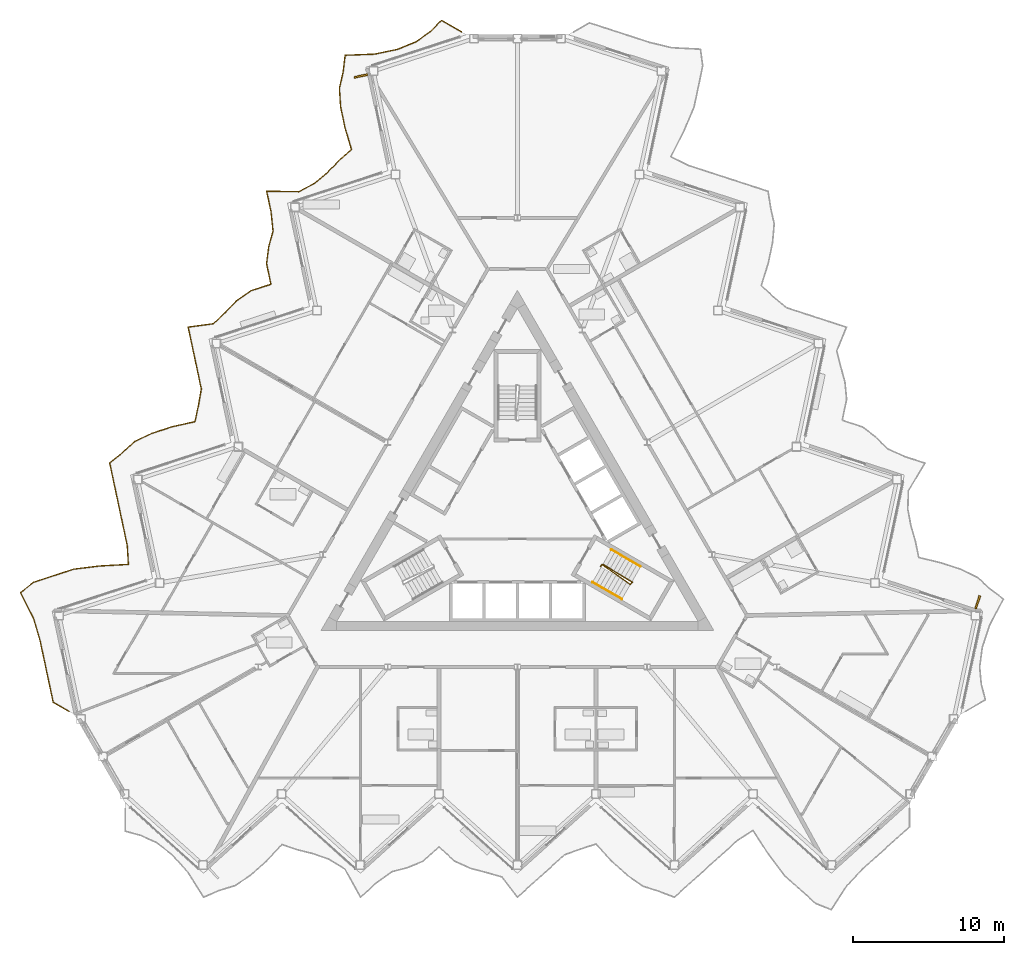
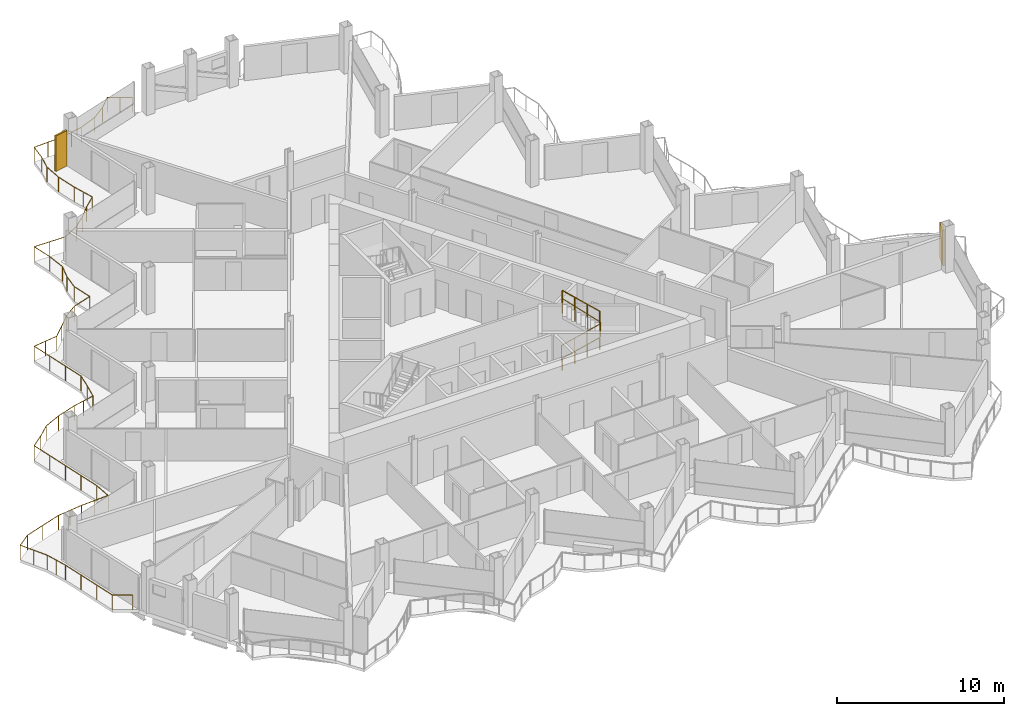
# One storey, part 24 of 27: 4 railings, 2 shading devices.
"""IFC4 building model written with IfcOpenShell, lengths in metres."""

from ifc_helpers import new_model, si_unit, direction, frame, origin, origin_2d, place, context, subcontext, project, spatial, rectangle, circle, extrude, material, layer, layer_set, type_object, element, save


model = new_model("IFC4")

# Units and contexts
model_context = context("Model", 3, precision=1e-05, world=origin(), true_north=direction((0.0, 1.0)))
body_context = subcontext(model_context, "Body", "Model", "MODEL_VIEW")
ifc_project = project(units=[si_unit("LENGTHUNIT", "METRE"), si_unit("AREAUNIT", "SQUARE_METRE"), si_unit("VOLUMEUNIT", "CUBIC_METRE"), si_unit("PLANEANGLEUNIT", "RADIAN"), si_unit("MASSUNIT", "GRAM", prefix="KILO")], contexts=[model_context])

# Site, building, storey
site_placement = place(None, origin())
site = spatial("IfcSite", under=ifc_project, at=site_placement, CompositionType="ELEMENT")
building_placement = place(site_placement, origin())
building = spatial("IfcBuilding", under=site, at=building_placement, Name="Cormorant Prow Tower", CompositionType="ELEMENT")
storey_placement = place(building_placement, frame((0.0, 0.0, 318.800048828125)))
storey = spatial("IfcBuildingStorey", under=building, at=storey_placement, Name="L70", CompositionType="ELEMENT", Elevation=318.800048828125)

# Railings
ifc_material_1 = material(Name="Aluminium 6063-T6", Category="aluminium")
railing_type_1 = type_object("IfcRailingType", Name="Balcony guard 1100", PredefinedType="GUARDRAIL", material=ifc_material_1)
railing_1_placement = place(storey_placement, frame((-3.703369140625, 32.118896484375, 0.0)))
element("IfcRailing", 1, at=railing_1_placement, inside=storey, type_object=railing_type_1, Name="Balcony guard WNW", PredefinedType="GUARDRAIL", context=body_context, shape_type="SweptSolid", body=[
    extrude(circle(Radius=0.02392578125, at=origin_2d()), frame((0.0, 0.0, 1.076171875), z_axis=(-0.865990296034, 0.500060803479, 0.0), x_axis=(-0.500060803479, -0.865990296034, 0.0)), (0.0, 0.0, 1.0), 1.519775390625),
    extrude(circle(Radius=0.02392578125, at=origin_2d()), frame((-1.316162109375, 0.760009765625, 1.076171875), z_axis=(-0.710162172845, -0.704038129834, 0.0), x_axis=(0.704038129834, -0.710162172845, 0.0)), (0.0, 0.0, 1.0), 1.076416015625),
    extrude(circle(Radius=0.02392578125, at=origin_2d()), frame((-2.08056640625, 0.002197265625, 1.076171875), z_axis=(-0.81465682951, -0.579943316311, 0.0), x_axis=(0.579943316311, -0.81465682951, 0.0)), (0.0, 0.0, 1.0), 1.14208984375),
    extrude(circle(Radius=0.02392578125, at=origin_2d()), frame((-3.010986328125, -0.66015625, 1.076171875), z_axis=(-0.92494386987, -0.380103719516, 0.0), x_axis=(0.380103719516, -0.92494386987, 0.0)), (0.0, 0.0, 1.0), 1.3115234375),
    extrude(circle(Radius=0.02392578125, at=origin_2d()), frame((-4.22412109375, -1.15869140625, 1.076171875), z_axis=(-0.9793543677, -0.202150989281, 0.0), x_axis=(0.202150989281, -0.9793543677, 0.0)), (0.0, 0.0, 1.0), 1.562744140625),
    extrude(circle(Radius=0.02392578125, at=origin_2d()), frame((-5.754638671875, -1.474609375, 1.076171875), z_axis=(-0.999265055246, -0.038332093131, 0.0), x_axis=(0.038332093131, -0.999265055246, 0.0)), (0.0, 0.0, 1.0), 1.948974609375),
    extrude(circle(Radius=0.02392578125, at=origin_2d()), frame((-7.7021484375, -1.54931640625, 1.076171875), z_axis=(-0.117041712082, -0.99312699975, 0.0), x_axis=(0.99312699975, -0.117041712082, 0.0)), (0.0, 0.0, 1.0), 1.130615234375),
    extrude(circle(Radius=0.02392578125, at=origin_2d()), frame((-7.83447265625, -2.672119140625, 1.076171875), z_axis=(-0.224301380547, -0.974519825701, 0.0), x_axis=(0.974519825701, -0.224301380547, 0.0)), (0.0, 0.0, 1.0), 1.086181640625),
    extrude(circle(Radius=0.02392578125, at=origin_2d()), frame((-8.078125, -3.730712890625, 1.076171875), z_axis=(0.063036409454, -0.998011227934, 0.0), x_axis=(0.998011227934, 0.063036409454, 0.0)), (0.0, 0.0, 1.0), 1.2470703125),
    extrude(circle(Radius=0.02392578125, at=origin_2d()), frame((-7.99951171875, -4.975341796875, 1.076171875), z_axis=(0.20789427571, -0.978151302267, 0.0), x_axis=(0.978151302267, 0.20789427571, 0.0)), (0.0, 0.0, 1.0), 1.3974609375),
    extrude(circle(Radius=0.02392578125, at=origin_2d()), frame((-7.708984375, -6.34228515625, 1.076171875), z_axis=(0.283244586223, -0.959047707038, 0.0), x_axis=(0.959047707038, 0.283244586223, 0.0)), (0.0, 0.0, 1.0), 1.507568359375),
    extrude(circle(Radius=0.02392578125, at=origin_2d()), frame((-7.281982421875, -7.7880859375, 1.076171875), z_axis=(-0.748932723134, -0.662646041427, 0.0), x_axis=(0.662646041427, -0.748932723134, 0.0)), (0.0, 0.0, 1.0), 1.094970703125),
    extrude(circle(Radius=0.02392578125, at=origin_2d()), frame((-8.10205078125, -8.513671875, 1.076171875), z_axis=(-0.693983566314, -0.719990840002, 0.0), x_axis=(0.719990840002, -0.693983566314, 0.0)), (0.0, 0.0, 1.0), 1.070068359375),
    extrude(circle(Radius=0.02392578125, at=origin_2d()), frame((-8.8447265625, -9.2841796875, 1.076171875), z_axis=(-0.760131936897, -0.64976875772, 0.0), x_axis=(0.64976875772, -0.760131936897, 0.0)), (0.0, 0.0, 1.0), 1.1015625),
    extrude(circle(Radius=0.02392578125, at=origin_2d()), frame((-9.68212890625, -10.0, 1.076171875), z_axis=(-0.881188692955, -0.472764727331, 0.0), x_axis=(0.472764727331, -0.881188692955, 0.0)), (0.0, 0.0, 1.0), 1.221923828125),
    extrude(circle(Radius=0.02392578125, at=origin_2d()), frame((-10.7587890625, -10.57763671875, 1.076171875), z_axis=(-0.999873845917, 0.015883710238, 0.0), x_axis=(-0.015883710238, -0.999873845917, 0.0)), (0.0, 0.0, 1.0), 2.136474609375),
    extrude(circle(Radius=0.02392578125, at=origin_2d()), frame((-12.89501953125, -10.543701171875, 1.076171875), z_axis=(0.208061417088, -0.978115763455, 0.0), x_axis=(0.978115763455, 0.208061417088, 0.0)), (0.0, 0.0, 1.0), 1.3974609375),
    extrude(circle(Radius=0.02392578125, at=origin_2d()), frame((-12.604248046875, -11.91064453125, 1.076171875), z_axis=(0.103872698517, -0.99459060045, 0.0), x_axis=(0.99459060045, 0.103872698517, 0.0)), (0.0, 0.0, 1.0), 1.283203125),
    extrude(circle(Radius=0.02392578125, at=origin_2d()), frame((-12.470947265625, -13.18701171875, 1.076171875), z_axis=(-0.267197772915, -0.963641712541, 0.0), x_axis=(0.963641712541, -0.267197772915, 0.0)), (0.0, 0.0, 1.0), 1.07275390625),
    extrude(circle(Radius=0.02392578125, at=origin_2d()), frame((-12.757568359375, -14.220703125, 1.076171875), z_axis=(-0.128253646975, -0.991741398772, 0.0), x_axis=(0.991741398772, -0.128253646975, 0.0)), (0.0, 0.0, 1.0), 1.125),
    extrude(circle(Radius=0.02392578125, at=origin_2d()), frame((-12.90185546875, -15.33642578125, 1.076171875), z_axis=(0.20785875582, -0.978158850918, 0.0), x_axis=(0.978158850918, 0.20785875582, 0.0)), (0.0, 0.0, 1.0), 1.397705078125),
    extrude(circle(Radius=0.02392578125, at=origin_2d()), frame((-12.611328125, -16.70361328125, 1.076171875), z_axis=(-0.951049473261, -0.309038669765, 0.0), x_axis=(0.309038669765, -0.951049473261, 0.0)), (0.0, 0.0, 1.0), 1.3974609375),
    extrude(circle(Radius=0.02392578125, at=origin_2d()), frame((-13.9404296875, -17.135498046875, 1.076171875), z_axis=(-0.815520159439, -0.578728666604, 0.0), x_axis=(0.578728666604, -0.815520159439, 0.0)), (0.0, 0.0, 1.0), 1.142333984375),
    extrude(circle(Radius=0.02392578125, at=origin_2d()), frame((-14.8720703125, -17.796630859375, 1.076171875), z_axis=(-0.704259482278, -0.709942660799, 0.0), x_axis=(0.709942660799, -0.704259482278, 0.0)), (0.0, 0.0, 1.0), 1.073974609375),
    extrude(circle(Radius=0.02392578125, at=origin_2d()), frame((-15.62841796875, -18.55908203125, 1.076171875), z_axis=(-0.717321359656, -0.696742468191, 0.0), x_axis=(0.696742468191, -0.717321359656, 0.0)), (0.0, 0.0, 1.0), 1.07958984375),
    extrude(circle(Radius=0.02392578125, at=origin_2d()), frame((-16.40283203125, -19.311279296875, 1.076171875), z_axis=(-0.991079275341, -0.133273665775, 0.0), x_axis=(0.133273665775, -0.991079275341, 0.0)), (0.0, 0.0, 1.0), 1.699951171875),
    extrude(circle(Radius=0.02392578125, at=origin_2d()), frame((-18.087646484375, -19.537841796875, 1.076171875), z_axis=(0.20789427571, -0.978151302267, 0.0), x_axis=(0.978151302267, 0.20789427571, 0.0)), (0.0, 0.0, 1.0), 1.3974609375),
    extrude(circle(Radius=0.02392578125, at=origin_2d()), frame((-17.797119140625, -20.90478515625, 1.076171875), z_axis=(0.20789427571, -0.978151302267, 0.0), x_axis=(0.978151302267, 0.20789427571, 0.0)), (0.0, 0.0, 1.0), 1.3974609375),
    extrude(circle(Radius=0.02392578125, at=origin_2d()), frame((-17.506591796875, -22.271728515625, 1.076171875), z_axis=(0.20785875582, -0.978158850918, 0.0), x_axis=(0.978158850918, 0.20785875582, 0.0)), (0.0, 0.0, 1.0), 1.397705078125),
    extrude(circle(Radius=0.02392578125, at=origin_2d()), frame((-17.216064453125, -23.638916015625, 1.076171875), z_axis=(-0.17388616838, -0.984765759176, 0.0), x_axis=(0.984765759176, -0.17388616838, 0.0)), (0.0, 0.0, 1.0), 1.10498046875),
    extrude(circle(Radius=0.02392578125, at=origin_2d()), frame((-17.408203125, -24.72705078125, 1.076171875), z_axis=(-0.210079095134, -0.977684393753, 0.0), x_axis=(0.977684393753, -0.210079095134, 0.0)), (0.0, 0.0, 1.0), 1.09130859375),
    extrude(circle(Radius=0.02392578125, at=origin_2d()), frame((-17.637451171875, -25.7939453125, 1.076171875), z_axis=(-0.975723893204, -0.219004301854, 0.0), x_axis=(0.219004301854, -0.975723893204, 0.0)), (0.0, 0.0, 1.0), 1.53271484375),
    extrude(circle(Radius=0.02392578125, at=origin_2d()), frame((-19.133056640625, -26.129638671875, 1.076171875), z_axis=(-0.951066153506, -0.308987332516, 0.0), x_axis=(0.308987332516, -0.951066153506, 0.0)), (0.0, 0.0, 1.0), 1.397705078125),
    extrude(circle(Radius=0.02392578125, at=origin_2d()), frame((-20.46240234375, -26.5615234375, 1.076171875), z_axis=(-0.906232340919, -0.422780018771, 0.0), x_axis=(0.422780018771, -0.906232340919, 0.0)), (0.0, 0.0, 1.0), 1.267578125),
    extrude(circle(Radius=0.02392578125, at=origin_2d()), frame((-21.611083984375, -27.097412109375, 1.076171875), z_axis=(-0.738529151051, -0.674221545968, 0.0), x_axis=(0.674221545968, -0.738529151051, 0.0)), (0.0, 0.0, 1.0), 1.089599609375),
    extrude(circle(Radius=0.02392578125, at=origin_2d()), frame((-22.415771484375, -27.83203125, 1.076171875), z_axis=(-0.777280642289, -0.629154037675, 0.0), x_axis=(0.629154037675, -0.777280642289, 0.0)), (0.0, 0.0, 1.0), 1.112548828125),
    extrude(circle(Radius=0.02392578125, at=origin_2d()), frame((-23.280517578125, -28.531982421875, 1.076171875), z_axis=(0.20789427571, -0.978151302267, 0.0), x_axis=(0.978151302267, 0.20789427571, 0.0)), (0.0, 0.0, 1.0), 1.3974609375),
    extrude(circle(Radius=0.02392578125, at=origin_2d()), frame((-22.989990234375, -29.89892578125, 1.076171875), z_axis=(0.20785875582, -0.978158850918, 0.0), x_axis=(0.978158850918, 0.20785875582, 0.0)), (0.0, 0.0, 1.0), 1.397705078125),
    extrude(circle(Radius=0.02392578125, at=origin_2d()), frame((-22.699462890625, -31.26611328125, 1.076171875), z_axis=(0.20789427571, -0.978151302267, 0.0), x_axis=(0.978151302267, 0.20789427571, 0.0)), (0.0, 0.0, 1.0), 1.3974609375),
    extrude(circle(Radius=0.02392578125, at=origin_2d()), frame((-22.408935546875, -32.633056640625, 1.076171875), z_axis=(0.20789427571, -0.978151302267, 0.0), x_axis=(0.978151302267, 0.20789427571, 0.0)), (0.0, 0.0, 1.0), 1.3974609375),
    extrude(circle(Radius=0.02392578125, at=origin_2d()), frame((-22.118408203125, -34.0, 1.076171875), z_axis=(0.05871051141, -0.998275050199, 0.0), x_axis=(0.998275050199, 0.05871051141, 0.0)), (0.0, 0.0, 1.0), 1.243408203125),
    extrude(circle(Radius=0.02392578125, at=origin_2d()), frame((-22.04541015625, -35.2412109375, 1.076171875), z_axis=(-0.998546382965, -0.053899175022, 0.0), x_axis=(0.053899175022, -0.998546382965, 0.0)), (0.0, 0.0, 1.0), 1.90234375),
    extrude(circle(Radius=0.02392578125, at=origin_2d()), frame((-23.945068359375, -35.34375, 1.076171875), z_axis=(-0.992408117308, -0.122988327502, 0.0), x_axis=(0.122988327502, -0.992408117308, 0.0)), (0.0, 0.0, 1.0), 1.72314453125),
    extrude(circle(Radius=0.02392578125, at=origin_2d()), frame((-25.655029296875, -35.5556640625, 1.076171875), z_axis=(-0.951049473261, -0.309038669765, 0.0), x_axis=(0.309038669765, -0.951049473261, 0.0)), (0.0, 0.0, 1.0), 1.3974609375),
    extrude(circle(Radius=0.02392578125, at=origin_2d()), frame((-26.984130859375, -35.987548828125, 1.076171875), z_axis=(-0.949678219118, -0.313227202095, 0.0), x_axis=(0.313227202095, -0.949678219118, 0.0)), (0.0, 0.0, 1.0), 1.39208984375),
    extrude(circle(Radius=0.02392578125, at=origin_2d()), frame((-28.30615234375, -36.423583984375, 1.076171875), z_axis=(-0.789129327952, -0.61422707834, 0.0), x_axis=(0.61422707834, -0.789129327952, 0.0)), (0.0, 0.0, 1.0), 1.120849609375),
    extrude(circle(Radius=0.02392578125, at=origin_2d()), frame((-29.190673828125, -37.112060546875, 1.076171875), z_axis=(0.455016499701, -0.890483006576, 0.0), x_axis=(0.890483006576, 0.455016499701, 0.0)), (0.0, 0.0, 1.0), 1.91064453125),
    extrude(circle(Radius=0.02392578125, at=origin_2d()), frame((-28.3212890625, -38.8134765625, 1.076171875), z_axis=(0.284259088615, -0.95874750093, 0.0), x_axis=(0.95874750093, 0.284259088615, 0.0)), (0.0, 0.0, 1.0), 1.509033203125),
    extrude(circle(Radius=0.02392578125, at=origin_2d()), frame((-27.892333984375, -40.26025390625, 1.076171875), z_axis=(0.208061417088, -0.978115763455, 0.0), x_axis=(0.978115763455, 0.208061417088, 0.0)), (0.0, 0.0, 1.0), 1.3974609375),
    extrude(circle(Radius=0.02392578125, at=origin_2d()), frame((-27.6015625, -41.627197265625, 1.076171875), z_axis=(0.20789427571, -0.978151302267, 0.0), x_axis=(0.978151302267, 0.20789427571, 0.0)), (0.0, 0.0, 1.0), 1.3974609375),
    extrude(circle(Radius=0.02392578125, at=origin_2d()), frame((-27.31103515625, -42.994140625, 1.076171875), z_axis=(0.20789427571, -0.978151302267, 0.0), x_axis=(0.978151302267, 0.20789427571, 0.0)), (0.0, 0.0, 1.0), 1.3974609375),
    extrude(circle(Radius=0.02392578125, at=origin_2d()), frame((-27.0205078125, -44.361083984375, 1.076171875), z_axis=(0.865955602162, -0.500120880472, 0.0), x_axis=(0.500120880472, 0.865955602162, 0.0)), (0.0, 0.0, 1.0), 1.219970703125),
    extrude(circle(Radius=0.02099609375, at=origin_2d()), origin(), (0.0, 0.0, 1.0), 1.052001953125),
    extrude(circle(Radius=0.02099609375, at=origin_2d()), frame((-0.658203125, 0.3798828125, 0.0)), (0.0, 0.0, 1.0), 1.052001953125),
    extrude(circle(Radius=0.02099609375, at=origin_2d()), frame((-1.316162109375, 0.760009765625, 0.0)), (0.0, 0.0, 1.0), 1.052001953125),
    extrude(circle(Radius=0.02099609375, at=origin_2d()), frame((-2.08056640625, 0.002197265625, 0.0)), (0.0, 0.0, 1.0), 1.052001953125),
    extrude(circle(Radius=0.02099609375, at=origin_2d()), frame((-3.010986328125, -0.66015625, 0.0)), (0.0, 0.0, 1.0), 1.052001953125),
    extrude(circle(Radius=0.02099609375, at=origin_2d()), frame((-4.22412109375, -1.15869140625, 0.0)), (0.0, 0.0, 1.0), 1.052001953125),
    extrude(circle(Radius=0.02099609375, at=origin_2d()), frame((-4.9892578125, -1.316650390625, 0.0)), (0.0, 0.0, 1.0), 1.052001953125),
    extrude(circle(Radius=0.02099609375, at=origin_2d()), frame((-5.754638671875, -1.474609375, 0.0)), (0.0, 0.0, 1.0), 1.052001953125),
    extrude(circle(Radius=0.02099609375, at=origin_2d()), frame((-6.728515625, -1.511962890625, 0.0)), (0.0, 0.0, 1.0), 1.052001953125),
    extrude(circle(Radius=0.02099609375, at=origin_2d()), frame((-7.7021484375, -1.54931640625, 0.0)), (0.0, 0.0, 1.0), 1.052001953125),
    extrude(circle(Radius=0.02099609375, at=origin_2d()), frame((-7.83447265625, -2.672119140625, 0.0)), (0.0, 0.0, 1.0), 1.052001953125),
    extrude(circle(Radius=0.02099609375, at=origin_2d()), frame((-8.078125, -3.730712890625, 0.0)), (0.0, 0.0, 1.0), 1.052001953125),
    extrude(circle(Radius=0.02099609375, at=origin_2d()), frame((-7.99951171875, -4.975341796875, 0.0)), (0.0, 0.0, 1.0), 1.052001953125),
    extrude(circle(Radius=0.02099609375, at=origin_2d()), frame((-7.708984375, -6.34228515625, 0.0)), (0.0, 0.0, 1.0), 1.052001953125),
    extrude(circle(Radius=0.02099609375, at=origin_2d()), frame((-7.49560546875, -7.065185546875, 0.0)), (0.0, 0.0, 1.0), 1.052001953125),
    extrude(circle(Radius=0.02099609375, at=origin_2d()), frame((-7.281982421875, -7.7880859375, 0.0)), (0.0, 0.0, 1.0), 1.052001953125),
    extrude(circle(Radius=0.02099609375, at=origin_2d()), frame((-8.10205078125, -8.513671875, 0.0)), (0.0, 0.0, 1.0), 1.052001953125),
    extrude(circle(Radius=0.02099609375, at=origin_2d()), frame((-8.8447265625, -9.2841796875, 0.0)), (0.0, 0.0, 1.0), 1.052001953125),
    extrude(circle(Radius=0.02099609375, at=origin_2d()), frame((-9.68212890625, -10.0, 0.0)), (0.0, 0.0, 1.0), 1.052001953125),
    extrude(circle(Radius=0.02099609375, at=origin_2d()), frame((-10.7587890625, -10.57763671875, 0.0)), (0.0, 0.0, 1.0), 1.052001953125),
    extrude(circle(Radius=0.02099609375, at=origin_2d()), frame((-11.826904296875, -10.560546875, 0.0)), (0.0, 0.0, 1.0), 1.052001953125),
    extrude(circle(Radius=0.02099609375, at=origin_2d()), frame((-12.89501953125, -10.543701171875, 0.0)), (0.0, 0.0, 1.0), 1.052001953125),
    extrude(circle(Radius=0.02099609375, at=origin_2d()), frame((-12.604248046875, -11.91064453125, 0.0)), (0.0, 0.0, 1.0), 1.052001953125),
    extrude(circle(Radius=0.02099609375, at=origin_2d()), frame((-12.470947265625, -13.18701171875, 0.0)), (0.0, 0.0, 1.0), 1.052001953125),
    extrude(circle(Radius=0.02099609375, at=origin_2d()), frame((-12.757568359375, -14.220703125, 0.0)), (0.0, 0.0, 1.0), 1.052001953125),
    extrude(circle(Radius=0.02099609375, at=origin_2d()), frame((-12.90185546875, -15.33642578125, 0.0)), (0.0, 0.0, 1.0), 1.052001953125),
    extrude(circle(Radius=0.02099609375, at=origin_2d()), frame((-12.611328125, -16.70361328125, 0.0)), (0.0, 0.0, 1.0), 1.052001953125),
    extrude(circle(Radius=0.02099609375, at=origin_2d()), frame((-13.9404296875, -17.135498046875, 0.0)), (0.0, 0.0, 1.0), 1.052001953125),
    extrude(circle(Radius=0.02099609375, at=origin_2d()), frame((-14.8720703125, -17.796630859375, 0.0)), (0.0, 0.0, 1.0), 1.052001953125),
    extrude(circle(Radius=0.02099609375, at=origin_2d()), frame((-15.62841796875, -18.55908203125, 0.0)), (0.0, 0.0, 1.0), 1.052001953125),
    extrude(circle(Radius=0.02099609375, at=origin_2d()), frame((-16.40283203125, -19.311279296875, 0.0)), (0.0, 0.0, 1.0), 1.052001953125),
    extrude(circle(Radius=0.02099609375, at=origin_2d()), frame((-17.2451171875, -19.424560546875, 0.0)), (0.0, 0.0, 1.0), 1.052001953125),
    extrude(circle(Radius=0.02099609375, at=origin_2d()), frame((-18.087646484375, -19.537841796875, 0.0)), (0.0, 0.0, 1.0), 1.052001953125),
    extrude(circle(Radius=0.02099609375, at=origin_2d()), frame((-17.797119140625, -20.90478515625, 0.0)), (0.0, 0.0, 1.0), 1.052001953125),
    extrude(circle(Radius=0.02099609375, at=origin_2d()), frame((-17.506591796875, -22.271728515625, 0.0)), (0.0, 0.0, 1.0), 1.052001953125),
    extrude(circle(Radius=0.02099609375, at=origin_2d()), frame((-17.216064453125, -23.638916015625, 0.0)), (0.0, 0.0, 1.0), 1.052001953125),
    extrude(circle(Radius=0.02099609375, at=origin_2d()), frame((-17.408203125, -24.72705078125, 0.0)), (0.0, 0.0, 1.0), 1.052001953125),
    extrude(circle(Radius=0.02099609375, at=origin_2d()), frame((-17.637451171875, -25.7939453125, 0.0)), (0.0, 0.0, 1.0), 1.052001953125),
    extrude(circle(Radius=0.02099609375, at=origin_2d()), frame((-18.38525390625, -25.9619140625, 0.0)), (0.0, 0.0, 1.0), 1.052001953125),
    extrude(circle(Radius=0.02099609375, at=origin_2d()), frame((-19.133056640625, -26.129638671875, 0.0)), (0.0, 0.0, 1.0), 1.052001953125),
    extrude(circle(Radius=0.02099609375, at=origin_2d()), frame((-20.46240234375, -26.5615234375, 0.0)), (0.0, 0.0, 1.0), 1.052001953125),
    extrude(circle(Radius=0.02099609375, at=origin_2d()), frame((-21.611083984375, -27.097412109375, 0.0)), (0.0, 0.0, 1.0), 1.052001953125),
    extrude(circle(Radius=0.02099609375, at=origin_2d()), frame((-22.415771484375, -27.83203125, 0.0)), (0.0, 0.0, 1.0), 1.052001953125),
    extrude(circle(Radius=0.02099609375, at=origin_2d()), frame((-23.280517578125, -28.531982421875, 0.0)), (0.0, 0.0, 1.0), 1.052001953125),
    extrude(circle(Radius=0.02099609375, at=origin_2d()), frame((-22.989990234375, -29.89892578125, 0.0)), (0.0, 0.0, 1.0), 1.052001953125),
    extrude(circle(Radius=0.02099609375, at=origin_2d()), frame((-22.699462890625, -31.26611328125, 0.0)), (0.0, 0.0, 1.0), 1.052001953125),
    extrude(circle(Radius=0.02099609375, at=origin_2d()), frame((-22.408935546875, -32.633056640625, 0.0)), (0.0, 0.0, 1.0), 1.052001953125),
    extrude(circle(Radius=0.02099609375, at=origin_2d()), frame((-22.118408203125, -34.0, 0.0)), (0.0, 0.0, 1.0), 1.052001953125),
    extrude(circle(Radius=0.02099609375, at=origin_2d()), frame((-22.04541015625, -35.2412109375, 0.0)), (0.0, 0.0, 1.0), 1.052001953125),
    extrude(circle(Radius=0.02099609375, at=origin_2d()), frame((-22.9951171875, -35.29248046875, 0.0)), (0.0, 0.0, 1.0), 1.052001953125),
    extrude(circle(Radius=0.02099609375, at=origin_2d()), frame((-23.945068359375, -35.34375, 0.0)), (0.0, 0.0, 1.0), 1.052001953125),
    extrude(circle(Radius=0.02099609375, at=origin_2d()), frame((-24.800048828125, -35.44970703125, 0.0)), (0.0, 0.0, 1.0), 1.052001953125),
    extrude(circle(Radius=0.02099609375, at=origin_2d()), frame((-25.655029296875, -35.5556640625, 0.0)), (0.0, 0.0, 1.0), 1.052001953125),
    extrude(circle(Radius=0.02099609375, at=origin_2d()), frame((-26.984130859375, -35.987548828125, 0.0)), (0.0, 0.0, 1.0), 1.052001953125),
    extrude(circle(Radius=0.02099609375, at=origin_2d()), frame((-28.30615234375, -36.423583984375, 0.0)), (0.0, 0.0, 1.0), 1.052001953125),
    extrude(circle(Radius=0.02099609375, at=origin_2d()), frame((-29.190673828125, -37.112060546875, 0.0)), (0.0, 0.0, 1.0), 1.052001953125),
    extrude(circle(Radius=0.02099609375, at=origin_2d()), frame((-28.755859375, -37.962890625, 0.0)), (0.0, 0.0, 1.0), 1.052001953125),
    extrude(circle(Radius=0.02099609375, at=origin_2d()), frame((-28.3212890625, -38.8134765625, 0.0)), (0.0, 0.0, 1.0), 1.052001953125),
    extrude(circle(Radius=0.02099609375, at=origin_2d()), frame((-28.10693359375, -39.536865234375, 0.0)), (0.0, 0.0, 1.0), 1.052001953125),
    extrude(circle(Radius=0.02099609375, at=origin_2d()), frame((-27.892333984375, -40.26025390625, 0.0)), (0.0, 0.0, 1.0), 1.052001953125),
    extrude(circle(Radius=0.02099609375, at=origin_2d()), frame((-27.6015625, -41.627197265625, 0.0)), (0.0, 0.0, 1.0), 1.052001953125),
    extrude(circle(Radius=0.02099609375, at=origin_2d()), frame((-27.31103515625, -42.994140625, 0.0)), (0.0, 0.0, 1.0), 1.052001953125),
    extrude(circle(Radius=0.02099609375, at=origin_2d()), frame((-27.0205078125, -44.361083984375, 0.0)), (0.0, 0.0, 1.0), 1.052001953125),
    extrude(circle(Radius=0.02099609375, at=origin_2d()), frame((-25.964111328125, -44.97119140625, 0.0)), (0.0, 0.0, 1.0), 1.052001953125),
])
ifc_material_2 = material(Name="Stainless steel", Category="steel")
railing_type_2 = type_object("IfcRailingType", Name="Stair guard 1100", PredefinedType="GUARDRAIL", material=ifc_material_2)
railing_2_placement = place(storey_placement, frame((5.510009765625, -3.267822265625, 0.0)))
element("IfcRailing", 2, at=railing_2_placement, inside=storey, type_object=railing_type_2, Name="L70 ST2 stair guard 1", PredefinedType="GUARDRAIL", context=body_context, shape_type="SweptSolid", body=[
    extrude(circle(Radius=0.02392578125, at=origin_2d()), frame((0.0, 0.0, 1.076171875), z_axis=(0.501036270542, 0.865426285481, 0.0), x_axis=(-0.865426285481, 0.501036270542, 0.0)), (0.0, 0.0, 1.0), 0.150146484375),
    extrude(circle(Radius=0.02392578125, at=origin_2d()), frame((0.0751953125, 0.1298828125, 1.076171875), z_axis=(0.658670593711, -0.461060875852, 0.594622500196), x_axis=(0.573455215813, 0.819236910458, 0.0)), (0.0, 0.0, 1.0), 2.85888671875),
    extrude(circle(Radius=0.02392578125, at=origin_2d()), frame((1.958251953125, -1.188232421875, 2.77587890625), z_axis=(0.695164929852, 0.718850276695, 0.0), x_axis=(-0.718850276695, 0.695164929852, 0.0)), (0.0, 0.0, 1.0), 0.2060546875),
    extrude(circle(Radius=0.02392578125, at=origin_2d()), frame((2.1015625, -1.0400390625, 2.77587890625), z_axis=(-0.686515364547, 0.416565300991, 0.595961411712), x_axis=(-0.518752825935, -0.854924268918, 0.0)), (0.0, 0.0, 1.0), 2.8525390625),
    extrude(circle(Radius=0.02099609375, at=origin_2d()), origin(), (0.0, 0.0, 1.0), 1.052001953125),
    extrude(circle(Radius=0.02099609375, at=origin_2d()), frame((0.0751953125, 0.1298828125, 0.0)), (0.0, 0.0, 1.0), 1.052001953125),
    extrude(circle(Radius=0.02099609375, at=origin_2d()), frame((0.702880859375, -0.3095703125, 0.566650390625)), (0.0, 0.0, 1.0), 1.052001953125),
    extrude(circle(Radius=0.02099609375, at=origin_2d()), frame((1.33056640625, -0.748779296875, 1.13330078125)), (0.0, 0.0, 1.0), 1.052001953125),
    extrude(circle(Radius=0.02099609375, at=origin_2d()), frame((1.958251953125, -1.188232421875, 1.699951171875)), (0.0, 0.0, 1.0), 1.052001953125),
    extrude(circle(Radius=0.02099609375, at=origin_2d()), frame((2.1015625, -1.0400390625, 1.699951171875)), (0.0, 0.0, 1.0), 1.052001953125),
    extrude(circle(Radius=0.02099609375, at=origin_2d()), frame((1.44873046875, -0.64404296875, 2.2666015625)), (0.0, 0.0, 1.0), 1.052001953125),
    extrude(circle(Radius=0.02099609375, at=origin_2d()), frame((0.796142578125, -0.247802734375, 2.833251953125)), (0.0, 0.0, 1.0), 1.052001953125),
    extrude(circle(Radius=0.02099609375, at=origin_2d()), frame((0.143310546875, 0.148193359375, 3.39990234375)), (0.0, 0.0, 1.0), 1.052001953125),
])
ifc_material_3 = material(Name="Stainless steel", Category="steel")
railing_type_3 = type_object("IfcRailingType", Name="Stair handrail 900", PredefinedType="HANDRAIL", material=ifc_material_3)
railing_3_placement = place(storey_placement, frame((4.968994140625, -4.30517578125, 0.188720703125)))
element("IfcRailing", 3, at=railing_3_placement, inside=storey, type_object=railing_type_3, Name="L70 ST2 stair handrail 1", PredefinedType="HANDRAIL", context=body_context, shape_type="SweptSolid", body=[
    extrude(circle(Radius=0.02392578125, at=origin_2d()), frame((0.0, 0.0, 0.8759765625), z_axis=(0.717869644322, -0.414548260308, 0.559296802813), x_axis=(0.500077830873, 0.865980463445, 0.0)), (0.0, 0.0, 1.0), 2.701904296875),
    extrude(circle(Radius=0.02099609375, at=origin_2d()), origin(), (0.0, 0.0, 1.0), 0.851806640625),
    extrude(circle(Radius=0.02099609375, at=origin_2d()), frame((0.646484375, -0.373291015625, 0.503662109375)), (0.0, 0.0, 1.0), 0.851806640625),
    extrude(circle(Radius=0.02099609375, at=origin_2d()), frame((1.293212890625, -0.746826171875, 1.007568359375)), (0.0, 0.0, 1.0), 0.851806640625),
    extrude(circle(Radius=0.02099609375, at=origin_2d()), frame((1.939697265625, -1.1201171875, 1.51123046875)), (0.0, 0.0, 1.0), 0.851806640625),
])
railing_4_placement = place(storey_placement, frame((8.15283203125, -3.2705078125, 1.888916015625)))
element("IfcRailing", 4, at=railing_4_placement, inside=storey, type_object=railing_type_3, Name="L70 ST2 stair handrail 2", PredefinedType="HANDRAIL", context=body_context, shape_type="SweptSolid", body=[
    extrude(circle(Radius=0.02392578125, at=origin_2d()), frame((0.0, 0.0, 0.8759765625), z_axis=(-0.717976596433, 0.414467486514, 0.559219375198), x_axis=(-0.49994888933, -0.866054910533, 0.0)), (0.0, 0.0, 1.0), 2.701904296875),
    extrude(circle(Radius=0.02099609375, at=origin_2d()), origin(), (0.0, 0.0, 1.0), 0.851806640625),
    extrude(circle(Radius=0.02099609375, at=origin_2d()), frame((-0.646728515625, 0.373291015625, 0.503662109375)), (0.0, 0.0, 1.0), 0.851806640625),
    extrude(circle(Radius=0.02099609375, at=origin_2d()), frame((-1.293212890625, 0.74658203125, 1.00732421875)), (0.0, 0.0, 1.0), 0.851806640625),
    extrude(circle(Radius=0.02099609375, at=origin_2d()), frame((-1.93994140625, 1.119873046875, 1.510986328125)), (0.0, 0.0, 1.0), 0.851806640625),
])

# Shading devices
ifc_material_4 = material(Name="Terracotta", Category="masonry")
ifc_layer = layer(ifc_material_4, 0.1201171875)
ifc_layer_set = layer_set([ifc_layer], Name="Terracotta")
shading_device_type = type_object("IfcShadingDeviceType", Name="Terracotta baguette fin 120x900x2600", PredefinedType="USERDEFINED", material=ifc_layer_set)
for number, where, z_axis, x_axis, name in (
    (5, (30.46044921875, -5.626708984375, 0.0), (0.0, 0.0, 1.0), (-0.951056532303, 0.309016945109, 0.0), "Baguette fin ENE01"),
    (6, (-10.357177734375, 29.19287109375, 0.0), (0.0, 0.0, 1.0), (0.207911759908, -0.978147586048, 0.0), "Baguette fin WNW01"),
):
    element("IfcShadingDevice", number, at=place(storey_placement, frame(where, z_axis=z_axis, x_axis=x_axis)), inside=storey, type_object=shading_device_type, Name=name, ObjectType="BAGUETTE", PredefinedType="USERDEFINED", context=body_context, shape_type="SweptSolid", body=[
        extrude(rectangle(XDim=0.1201171875, YDim=0.89990234375, at=origin_2d()), origin(), (0.0, 0.0, 1.0), 2.60009765625),
    ])

save(model, "model.ifc")
